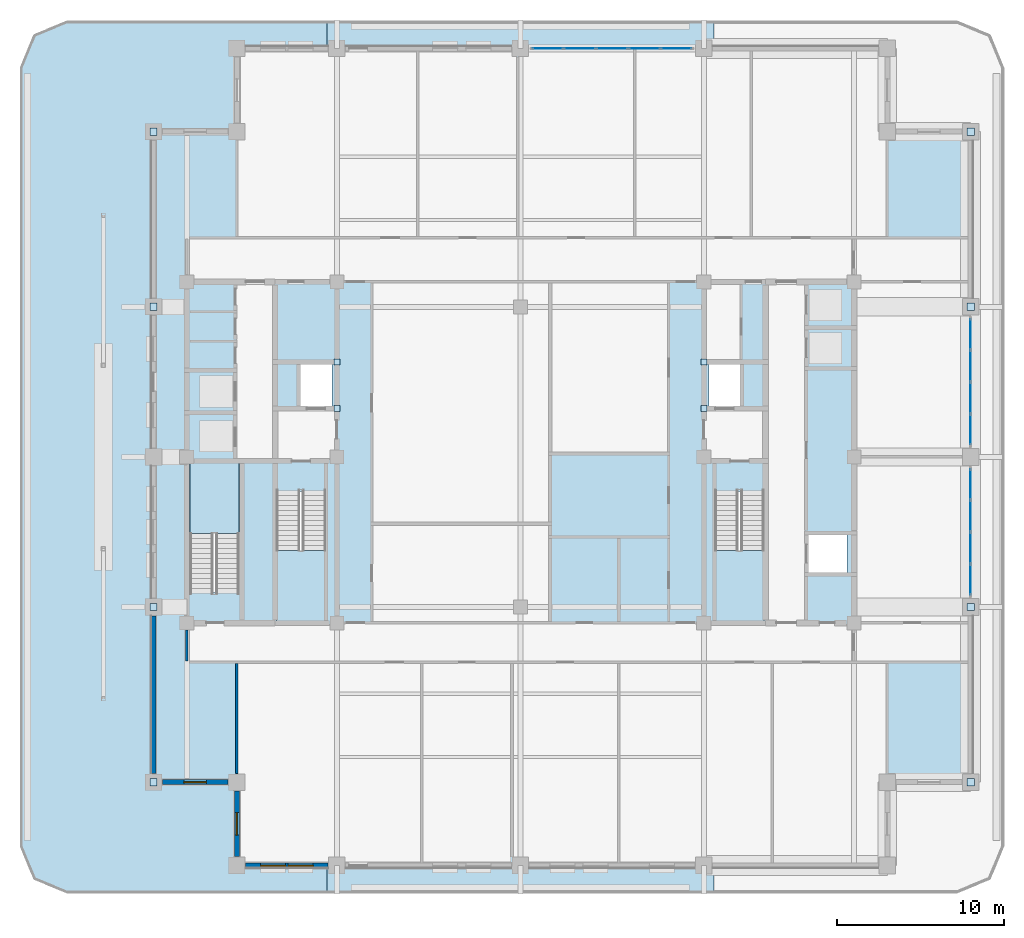
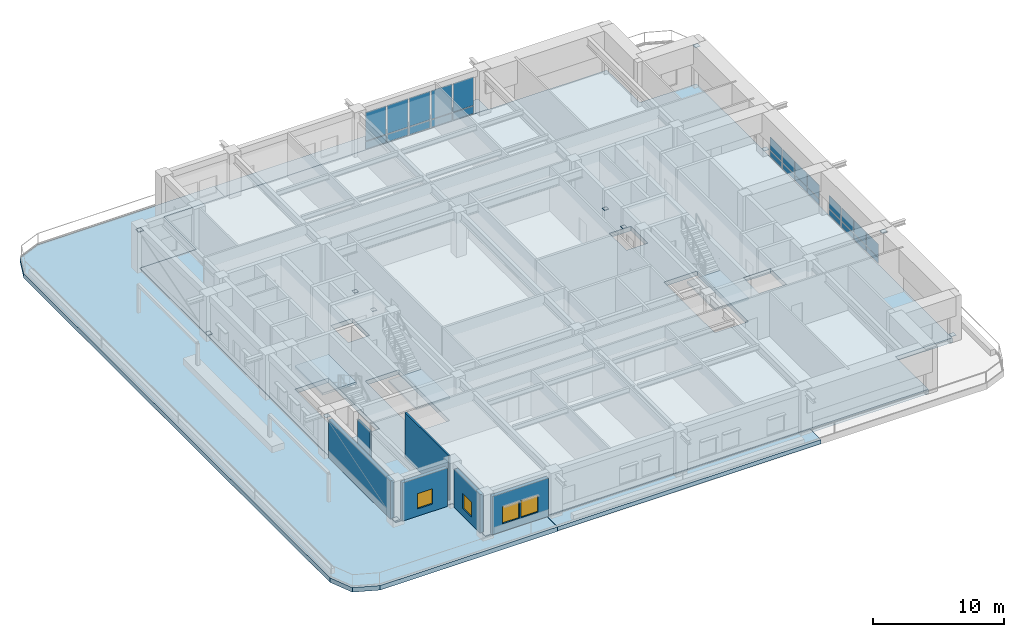
# One storey, part 7 of 20: 38 plates, 7 slabs, 6 walls, 4 windows, 4 openings, 6 elements without a shape of their own.
"""IFC4 building model written with IfcOpenShell, lengths in metres."""

from ifc_helpers import new_model, si_unit, direction, frame, frame_2d, origin, origin_2d, place, context, subcontext, project, spatial, polyline, rectangle, outline, extrude, material, layer, layer_set, type_object, element, fill, aggregate, save


model = new_model("IFC4")

# Units and contexts
model_context = context("Model", 3, precision=1e-05, world=origin(), true_north=direction((0.0, 1.0)))
body_context = subcontext(model_context, "Body", "Model", "MODEL_VIEW")
ifc_project = project(units=[si_unit("LENGTHUNIT", "METRE"), si_unit("AREAUNIT", "SQUARE_METRE"), si_unit("VOLUMEUNIT", "CUBIC_METRE"), si_unit("PLANEANGLEUNIT", "RADIAN"), si_unit("MASSUNIT", "GRAM", prefix="KILO")], contexts=[model_context])

# Site, building, storey
site_placement = place(None, origin())
site = spatial("IfcSite", under=ifc_project, at=site_placement, CompositionType="ELEMENT")
building_placement = place(site_placement, origin())
building = spatial("IfcBuilding", under=site, at=building_placement, Name="Zulmaris Gate Convention Tower", CompositionType="ELEMENT")
storey_placement = place(building_placement, frame((0.0, 0.0, 158.23974609375)))
storey = spatial("IfcBuildingStorey", under=building, at=storey_placement, Name="L40", CompositionType="ELEMENT", Elevation=158.23974609375)

# Curtain wall, plates
ifc_material_1 = material(Name="Anodised Aluminium", Category="aluminium")
curtain_wall_type = type_object("IfcCurtainWallType", Name="CW-04", PredefinedType="NOTDEFINED", material=ifc_material_1)
curtain_wall_1_placement = place(storey_placement, origin())
curtain_wall_1 = element("IfcCurtainWall", 1, at=curtain_wall_1_placement, inside=storey, type_object=curtain_wall_type, Name="CW-04 CW04-L40-N-2_0", PredefinedType="NOTDEFINED")
ifc_material_2 = material(Name="Low-E Double Glazing", Category="glass")
ifc_layer_1 = layer(ifc_material_2, 0.028076171875, Name="Low-E Double Glazing")
ifc_layer_set_1 = layer_set([ifc_layer_1], Name="Low-E Double Glazing")
plate_type_1 = type_object("IfcPlateType", Name="CW-04-VISION", PredefinedType="CURTAIN_PANEL", material=ifc_layer_set_1)
plate_1_placement = place(storey_placement, frame((9.349609375, 24.5, 0.074951171875), z_axis=(0.0, 0.0, 1.0), x_axis=(-1.0, 0.0, 0.0)))
plate_1 = element("IfcPlate", 2, at=plate_1_placement, type_object=plate_type_1, Name="CW-04 panel 1.1", PredefinedType="CURTAIN_PANEL", context=body_context, shape_type="SweptSolid", body=[
    extrude(rectangle(XDim=1.801025390625, YDim=0.028076171875, at=origin_2d()), origin(), (0.0, 0.0, 1.0), 0.6875),
])
plate_2_placement = place(storey_placement, frame((9.349609375, 24.5, 0.83740234375), z_axis=(0.0, 0.0, 1.0), x_axis=(-1.0, 0.0, 0.0)))
plate_2 = element("IfcPlate", 3, at=plate_2_placement, type_object=plate_type_1, Name="CW-04 panel 1.2", PredefinedType="CURTAIN_PANEL", context=body_context, shape_type="SweptSolid", body=[
    extrude(rectangle(XDim=1.801025390625, YDim=0.028076171875, at=origin_2d()), origin(), (0.0, 0.0, 1.0), 2.649658203125),
])
plate_3_placement = place(storey_placement, frame((7.43603515625, 24.5, 0.074951171875), z_axis=(0.0, 0.0, 1.0), x_axis=(-1.0, 0.0, 0.0)))
plate_3 = element("IfcPlate", 4, at=plate_3_placement, type_object=plate_type_1, Name="CW-04 panel 2.1", PredefinedType="CURTAIN_PANEL", context=body_context, shape_type="SweptSolid", body=[
    extrude(rectangle(XDim=1.845947265625, YDim=0.028076171875, at=origin_2d()), origin(), (0.0, 0.0, 1.0), 0.6875),
])
plate_4_placement = place(storey_placement, frame((7.43603515625, 24.5, 0.83740234375), z_axis=(0.0, 0.0, 1.0), x_axis=(-1.0, 0.0, 0.0)))
plate_4 = element("IfcPlate", 5, at=plate_4_placement, type_object=plate_type_1, Name="CW-04 panel 2.2", PredefinedType="CURTAIN_PANEL", context=body_context, shape_type="SweptSolid", body=[
    extrude(rectangle(XDim=1.845947265625, YDim=0.028076171875, at=origin_2d()), origin(), (0.0, 0.0, 1.0), 2.649658203125),
])
plate_5_placement = place(storey_placement, frame((5.5, 24.5, 0.074951171875), z_axis=(0.0, 0.0, 1.0), x_axis=(-1.0, 0.0, 0.0)))
plate_5 = element("IfcPlate", 6, at=plate_5_placement, type_object=plate_type_1, Name="CW-04 panel 3.1", PredefinedType="CURTAIN_PANEL", context=body_context, shape_type="SweptSolid", body=[
    extrude(rectangle(XDim=1.845947265625, YDim=0.028076171875, at=origin_2d()), origin(), (0.0, 0.0, 1.0), 0.6875),
])
plate_6_placement = place(storey_placement, frame((5.5, 24.5, 0.83740234375), z_axis=(0.0, 0.0, 1.0), x_axis=(-1.0, 0.0, 0.0)))
plate_6 = element("IfcPlate", 7, at=plate_6_placement, type_object=plate_type_1, Name="CW-04 panel 3.2", PredefinedType="CURTAIN_PANEL", context=body_context, shape_type="SweptSolid", body=[
    extrude(rectangle(XDim=1.845947265625, YDim=0.028076171875, at=origin_2d()), origin(), (0.0, 0.0, 1.0), 2.649658203125),
])
plate_7_placement = place(storey_placement, frame((3.56396484375, 24.5, 0.074951171875), z_axis=(0.0, 0.0, 1.0), x_axis=(-1.0, 0.0, 0.0)))
plate_7 = element("IfcPlate", 8, at=plate_7_placement, type_object=plate_type_1, Name="CW-04 panel 4.1", PredefinedType="CURTAIN_PANEL", context=body_context, shape_type="SweptSolid", body=[
    extrude(rectangle(XDim=1.845947265625, YDim=0.028076171875, at=origin_2d()), origin(), (0.0, 0.0, 1.0), 0.6875),
])
plate_8_placement = place(storey_placement, frame((3.56396484375, 24.5, 0.83740234375), z_axis=(0.0, 0.0, 1.0), x_axis=(-1.0, 0.0, 0.0)))
plate_8 = element("IfcPlate", 9, at=plate_8_placement, type_object=plate_type_1, Name="CW-04 panel 4.2", PredefinedType="CURTAIN_PANEL", context=body_context, shape_type="SweptSolid", body=[
    extrude(rectangle(XDim=1.845947265625, YDim=0.028076171875, at=origin_2d()), origin(), (0.0, 0.0, 1.0), 2.649658203125),
])
plate_9_placement = place(storey_placement, frame((1.650390625, 24.5, 0.074951171875), z_axis=(0.0, 0.0, 1.0), x_axis=(-1.0, 0.0, 0.0)))
plate_9 = element("IfcPlate", 10, at=plate_9_placement, type_object=plate_type_1, Name="CW-04 panel 5.1", PredefinedType="CURTAIN_PANEL", context=body_context, shape_type="SweptSolid", body=[
    extrude(rectangle(XDim=1.801025390625, YDim=0.028076171875, at=origin_2d()), origin(), (0.0, 0.0, 1.0), 0.6875),
])
plate_10_placement = place(storey_placement, frame((1.650390625, 24.5, 0.83740234375), z_axis=(0.0, 0.0, 1.0), x_axis=(-1.0, 0.0, 0.0)))
plate_10 = element("IfcPlate", 11, at=plate_10_placement, type_object=plate_type_1, Name="CW-04 panel 5.2", PredefinedType="CURTAIN_PANEL", context=body_context, shape_type="SweptSolid", body=[
    extrude(rectangle(XDim=1.801025390625, YDim=0.028076171875, at=origin_2d()), origin(), (0.0, 0.0, 1.0), 2.649658203125),
])
aggregate(curtain_wall_1, [plate_1, plate_2, plate_3, plate_4, plate_5, plate_6, plate_7, plate_8, plate_9, plate_10])

curtain_wall_2_placement = place(storey_placement, origin())
curtain_wall_2 = element("IfcCurtainWall", 12, at=curtain_wall_2_placement, inside=storey, type_object=curtain_wall_type, Name="CW-04 CW04-L40-E-1_0", PredefinedType="NOTDEFINED")
plate_11_placement = place(storey_placement, frame((27.0, -7.357421875, 0.0751953125), z_axis=(0.0, 0.0, 1.0), x_axis=(0.0, 1.0, 0.0)))
plate_11 = element("IfcPlate", 13, at=plate_11_placement, type_object=plate_type_1, Name="CW-04 panel 1.1", PredefinedType="CURTAIN_PANEL", context=body_context, shape_type="SweptSolid", body=[
    extrude(rectangle(XDim=1.784912109375, YDim=0.028076171875, at=origin_2d()), origin(), (0.0, 0.0, 1.0), 0.515380859375),
])
plate_12_placement = place(storey_placement, frame((27.0, -7.357421875, 0.66552734375), z_axis=(0.0, 0.0, 1.0), x_axis=(0.0, 1.0, 0.0)))
plate_12 = element("IfcPlate", 14, at=plate_12_placement, type_object=plate_type_1, Name="CW-04 panel 1.2", PredefinedType="CURTAIN_PANEL", context=body_context, shape_type="SweptSolid", body=[
    extrude(rectangle(XDim=1.784912109375, YDim=0.028076171875, at=origin_2d()), origin(), (0.0, 0.0, 1.0), 1.2216796875),
])
plate_13_placement = place(storey_placement, frame((27.0, -5.4599609375, 0.0751953125), z_axis=(0.0, 0.0, 1.0), x_axis=(0.0, 1.0, 0.0)))
plate_13 = element("IfcPlate", 15, at=plate_13_placement, type_object=plate_type_1, Name="CW-04 panel 2.1", PredefinedType="CURTAIN_PANEL", context=body_context, shape_type="SweptSolid", body=[
    extrude(rectangle(XDim=1.830078125, YDim=0.028076171875, at=origin_2d()), origin(), (0.0, 0.0, 1.0), 0.515380859375),
])
plate_14_placement = place(storey_placement, frame((27.0, -5.4599609375, 0.66552734375), z_axis=(0.0, 0.0, 1.0), x_axis=(0.0, 1.0, 0.0)))
plate_14 = element("IfcPlate", 16, at=plate_14_placement, type_object=plate_type_1, Name="CW-04 panel 2.2", PredefinedType="CURTAIN_PANEL", context=body_context, shape_type="SweptSolid", body=[
    extrude(rectangle(XDim=1.830078125, YDim=0.028076171875, at=origin_2d()), origin(), (0.0, 0.0, 1.0), 1.2216796875),
])
plate_15_placement = place(storey_placement, frame((27.0, -3.5400390625, 0.0751953125), z_axis=(0.0, 0.0, 1.0), x_axis=(0.0, 1.0, 0.0)))
plate_15 = element("IfcPlate", 17, at=plate_15_placement, type_object=plate_type_1, Name="CW-04 panel 3.1", PredefinedType="CURTAIN_PANEL", context=body_context, shape_type="SweptSolid", body=[
    extrude(rectangle(XDim=1.830078125, YDim=0.028076171875, at=origin_2d()), origin(), (0.0, 0.0, 1.0), 0.515380859375),
])
plate_16_placement = place(storey_placement, frame((27.0, -3.5400390625, 0.66552734375), z_axis=(0.0, 0.0, 1.0), x_axis=(0.0, 1.0, 0.0)))
plate_16 = element("IfcPlate", 18, at=plate_16_placement, type_object=plate_type_1, Name="CW-04 panel 3.2", PredefinedType="CURTAIN_PANEL", context=body_context, shape_type="SweptSolid", body=[
    extrude(rectangle(XDim=1.830078125, YDim=0.028076171875, at=origin_2d()), origin(), (0.0, 0.0, 1.0), 1.2216796875),
])
plate_17_placement = place(storey_placement, frame((27.0, -1.642578125, 0.0751953125), z_axis=(0.0, 0.0, 1.0), x_axis=(0.0, 1.0, 0.0)))
plate_17 = element("IfcPlate", 19, at=plate_17_placement, type_object=plate_type_1, Name="CW-04 panel 4.1", PredefinedType="CURTAIN_PANEL", context=body_context, shape_type="SweptSolid", body=[
    extrude(rectangle(XDim=1.784912109375, YDim=0.028076171875, at=origin_2d()), origin(), (0.0, 0.0, 1.0), 0.515380859375),
])
plate_18_placement = place(storey_placement, frame((27.0, -1.642578125, 0.66552734375), z_axis=(0.0, 0.0, 1.0), x_axis=(0.0, 1.0, 0.0)))
plate_18 = element("IfcPlate", 20, at=plate_18_placement, type_object=plate_type_1, Name="CW-04 panel 4.2", PredefinedType="CURTAIN_PANEL", context=body_context, shape_type="SweptSolid", body=[
    extrude(rectangle(XDim=1.784912109375, YDim=0.028076171875, at=origin_2d()), origin(), (0.0, 0.0, 1.0), 1.2216796875),
])
aggregate(curtain_wall_2, [plate_11, plate_12, plate_13, plate_14, plate_15, plate_16, plate_17, plate_18])

curtain_wall_3_placement = place(storey_placement, origin())
curtain_wall_3 = element("IfcCurtainWall", 21, at=curtain_wall_3_placement, inside=storey, type_object=curtain_wall_type, Name="CW-04 CW04-L40-E-2_0", PredefinedType="NOTDEFINED")
plate_19_placement = place(storey_placement, frame((27.0, 1.642578125, 0.0751953125), z_axis=(0.0, 0.0, 1.0), x_axis=(0.0, 1.0, 0.0)))
plate_19 = element("IfcPlate", 22, at=plate_19_placement, type_object=plate_type_1, Name="CW-04 panel 1.1", PredefinedType="CURTAIN_PANEL", context=body_context, shape_type="SweptSolid", body=[
    extrude(rectangle(XDim=1.784912109375, YDim=0.028076171875, at=origin_2d()), origin(), (0.0, 0.0, 1.0), 0.515380859375),
])
plate_20_placement = place(storey_placement, frame((27.0, 1.642578125, 0.66552734375), z_axis=(0.0, 0.0, 1.0), x_axis=(0.0, 1.0, 0.0)))
plate_20 = element("IfcPlate", 23, at=plate_20_placement, type_object=plate_type_1, Name="CW-04 panel 1.2", PredefinedType="CURTAIN_PANEL", context=body_context, shape_type="SweptSolid", body=[
    extrude(rectangle(XDim=1.784912109375, YDim=0.028076171875, at=origin_2d()), origin(), (0.0, 0.0, 1.0), 1.2216796875),
])
plate_21_placement = place(storey_placement, frame((27.0, 3.5400390625, 0.0751953125), z_axis=(0.0, 0.0, 1.0), x_axis=(0.0, 1.0, 0.0)))
plate_21 = element("IfcPlate", 24, at=plate_21_placement, type_object=plate_type_1, Name="CW-04 panel 2.1", PredefinedType="CURTAIN_PANEL", context=body_context, shape_type="SweptSolid", body=[
    extrude(rectangle(XDim=1.830078125, YDim=0.028076171875, at=origin_2d()), origin(), (0.0, 0.0, 1.0), 0.515380859375),
])
plate_22_placement = place(storey_placement, frame((27.0, 3.5400390625, 0.66552734375), z_axis=(0.0, 0.0, 1.0), x_axis=(0.0, 1.0, 0.0)))
plate_22 = element("IfcPlate", 25, at=plate_22_placement, type_object=plate_type_1, Name="CW-04 panel 2.2", PredefinedType="CURTAIN_PANEL", context=body_context, shape_type="SweptSolid", body=[
    extrude(rectangle(XDim=1.830078125, YDim=0.028076171875, at=origin_2d()), origin(), (0.0, 0.0, 1.0), 1.2216796875),
])
plate_23_placement = place(storey_placement, frame((27.0, 5.4599609375, 0.0751953125), z_axis=(0.0, 0.0, 1.0), x_axis=(0.0, 1.0, 0.0)))
plate_23 = element("IfcPlate", 26, at=plate_23_placement, type_object=plate_type_1, Name="CW-04 panel 3.1", PredefinedType="CURTAIN_PANEL", context=body_context, shape_type="SweptSolid", body=[
    extrude(rectangle(XDim=1.830078125, YDim=0.028076171875, at=origin_2d()), origin(), (0.0, 0.0, 1.0), 0.515380859375),
])
plate_24_placement = place(storey_placement, frame((27.0, 5.4599609375, 0.66552734375), z_axis=(0.0, 0.0, 1.0), x_axis=(0.0, 1.0, 0.0)))
plate_24 = element("IfcPlate", 27, at=plate_24_placement, type_object=plate_type_1, Name="CW-04 panel 3.2", PredefinedType="CURTAIN_PANEL", context=body_context, shape_type="SweptSolid", body=[
    extrude(rectangle(XDim=1.830078125, YDim=0.028076171875, at=origin_2d()), origin(), (0.0, 0.0, 1.0), 1.2216796875),
])
plate_25_placement = place(storey_placement, frame((27.0, 7.357421875, 0.0751953125), z_axis=(0.0, 0.0, 1.0), x_axis=(0.0, 1.0, 0.0)))
plate_25 = element("IfcPlate", 28, at=plate_25_placement, type_object=plate_type_1, Name="CW-04 panel 4.1", PredefinedType="CURTAIN_PANEL", context=body_context, shape_type="SweptSolid", body=[
    extrude(rectangle(XDim=1.784912109375, YDim=0.028076171875, at=origin_2d()), origin(), (0.0, 0.0, 1.0), 0.515380859375),
])
plate_26_placement = place(storey_placement, frame((27.0, 7.357421875, 0.66552734375), z_axis=(0.0, 0.0, 1.0), x_axis=(0.0, 1.0, 0.0)))
plate_26 = element("IfcPlate", 29, at=plate_26_placement, type_object=plate_type_1, Name="CW-04 panel 4.2", PredefinedType="CURTAIN_PANEL", context=body_context, shape_type="SweptSolid", body=[
    extrude(rectangle(XDim=1.784912109375, YDim=0.028076171875, at=origin_2d()), origin(), (0.0, 0.0, 1.0), 1.2216796875),
])
aggregate(curtain_wall_3, [plate_19, plate_20, plate_21, plate_22, plate_23, plate_24, plate_25, plate_26])

# Plates
ifc_material_3 = material(Name="Steel S460", Category="steel")
ifc_layer_2 = layer(ifc_material_3, 0.02197265625, Name="Steel S460")
ifc_layer_set_2 = layer_set([ifc_layer_2], Name="Steel S460")
plate_type_2 = type_object("IfcPlateType", Name="NP-CAP-360", PredefinedType="USERDEFINED", material=ifc_layer_set_2)
for number, where, z_axis, x_axis, name in (
    (30, (-11.0, 2.89990234375, 2.3388671875), (0.0, 0.0, 1.0), (1.0, 0.0, 0.0), "L40 Steel Node Plate LN-L40-1-CAP0"),
    (31, (-11.0, 5.699951171875, 2.3388671875), (0.0, 0.0, 1.0), (1.0, 0.0, 0.0), "L40 Steel Node Plate LN-L40-1-CAP1"),
    (32, (11.0, 2.89990234375, 2.3388671875), (0.0, 0.0, 1.0), (1.0, 0.0, 0.0), "L40 Steel Node Plate LN-L40-2-CAP0"),
    (33, (11.0, 5.699951171875, 2.3388671875), (0.0, 0.0, 1.0), (1.0, 0.0, 0.0), "L40 Steel Node Plate LN-L40-2-CAP1"),
):
    element("IfcPlate", number, at=place(storey_placement, frame(where, z_axis=z_axis, x_axis=x_axis)), inside=storey, type_object=plate_type_2, Name=name, ObjectType="FLANGE PLATE", PredefinedType="USERDEFINED", context=body_context, shape_type="SweptSolid", body=[
        extrude(rectangle(XDim=0.360107421875, YDim=0.360107421875, at=origin_2d()), origin(), (0.0, 0.0, 1.0), 0.02197265625),
    ])
ifc_layer_3 = layer(ifc_material_3, 0.02490234375, Name="Steel S460")
ifc_layer_set_3 = layer_set([ifc_layer_3], Name="Steel S460")
plate_type_3 = type_object("IfcPlateType", Name="NP-CAP-440", PredefinedType="USERDEFINED", material=ifc_layer_set_3)
for number, where, z_axis, x_axis, name in (
    (34, (-22.0, -19.5, 0.28759765625), (0.0, 0.0, 1.0), (1.0, 0.0, 0.0), "L40 Steel Node Plate PBR-L40-SW-W-CAP"),
    (35, (-22.0, -9.0, 3.53759765625), (0.0, 0.0, 1.0), (1.0, 0.0, 0.0), "L40 Steel Node Plate PBR-L40-SW-W-CAPB"),
    (36, (-22.0, 9.0, 0.28759765625), (0.0, 0.0, 1.0), (1.0, 0.0, 0.0), "L40 Steel Node Plate PBR-L40-NW-W-CAP"),
    (37, (-22.0, 19.5, 3.53759765625), (0.0, 0.0, 1.0), (1.0, 0.0, 0.0), "L40 Steel Node Plate PBR-L40-NW-W-CAPB"),
    (38, (27.0, -19.5, 0.28759765625), (0.0, 0.0, 1.0), (1.0, 0.0, 0.0), "L40 Steel Node Plate PBR-L40-SE-E-CAP"),
    (39, (27.0, -9.0, 3.53759765625), (0.0, 0.0, 1.0), (1.0, 0.0, 0.0), "L40 Steel Node Plate PBR-L40-SE-E-CAPB"),
    (40, (27.0, 9.0, 0.28759765625), (0.0, 0.0, 1.0), (1.0, 0.0, 0.0), "L40 Steel Node Plate PBR-L40-NE-E-CAP"),
    (41, (27.0, 19.5, 3.53759765625), (0.0, 0.0, 1.0), (1.0, 0.0, 0.0), "L40 Steel Node Plate PBR-L40-NE-E-CAPB"),
):
    element("IfcPlate", number, at=place(storey_placement, frame(where, z_axis=z_axis, x_axis=x_axis)), inside=storey, type_object=plate_type_3, Name=name, ObjectType="FLANGE PLATE", PredefinedType="USERDEFINED", context=body_context, shape_type="SweptSolid", body=[
        extrude(rectangle(XDim=0.43994140625, YDim=0.43994140625, at=origin_2d()), origin(), (0.0, 0.0, 1.0), 0.02490234375),
    ])

# Slab
ifc_material_4 = material(Name="Concrete C60/75", Category="concrete")
ifc_layer_4 = layer(ifc_material_4, 0.425048828125, Name="Concrete C60/75")
ifc_layer_set_4 = layer_set([ifc_layer_4], Name="Concrete C60/75")
slab_type_1 = type_object("IfcSlabType", Name="SL-FLR-425", PredefinedType="FLOOR", material=ifc_layer_set_4)
slab_1_placement = place(storey_placement, frame((0.0, 0.0, -0.425048828125)))
element("IfcSlab", 42, at=slab_1_placement, inside=storey, type_object=slab_type_1, Name="L40 Shifted Notched-Square Structural Floor Slab", PredefinedType="FLOOR", context=body_context, shape_type="SweptSolid", body=[
    extrude(outline(polyline([(-17.0, -24.5), (22.0, -24.5), (22.0, -19.5), (27.0, -19.5), (27.0, 19.5), (22.0, 19.5), (22.0, 24.5), (-17.0, 24.5), (-17.0, 19.5), (-22.0, 19.5), (-22.0, -19.5), (-17.0, -19.5), (-17.0, -24.5)]), holes=[polyline([(-14.6201171875, -2.080078125), (-14.6201171875, -9.85009765625), (-11.659912109375, -9.85009765625), (-11.659912109375, -2.080078125), (-14.6201171875, -2.080078125)]), polyline([(11.659912109375, -2.080078125), (11.659912109375, -9.85009765625), (14.6201171875, -9.85009765625), (14.6201171875, -2.080078125), (11.659912109375, -2.080078125)]), polyline([(-16.860107421875, -8.1201171875), (-16.860107421875, -0.35009765625), (-19.820068359375, -0.35009765625), (-19.820068359375, -8.1201171875), (-16.860107421875, -8.1201171875)]), polyline([(-13.199951171875, 3.0), (-11.300048828125, 3.0), (-11.300048828125, 5.60009765625), (-13.199951171875, 5.60009765625), (-13.199951171875, 3.0)]), polyline([(11.300048828125, 3.0), (13.199951171875, 3.0), (13.199951171875, 5.60009765625), (11.300048828125, 5.60009765625), (11.300048828125, 3.0)]), polyline([(17.199951171875, -7.0), (19.60009765625, -7.0), (19.60009765625, -4.60009765625), (17.199951171875, -4.60009765625), (17.199951171875, -7.0)])]), origin(), (0.0, 0.0, 1.0), 0.425048828125),
])

# Stair, slab
ifc_material_5 = material(Name="Concrete C45/55", Category="concrete")
stair_type = type_object("IfcStairType", Name="ST-CORE-DOGLEG", PredefinedType="HALF_TURN_STAIR", material=ifc_material_5)
stair_1_placement = place(storey_placement, origin())
stair_1 = element("IfcStair", 43, at=stair_1_placement, inside=storey, type_object=stair_type, Name="L40 Core Exit Stair ST-1", PredefinedType="HALF_TURN_STAIR")
ifc_layer_5 = layer(ifc_material_5, 0.199951171875, Name="Concrete C45/55")
ifc_layer_set_5 = layer_set([ifc_layer_5], Name="Concrete C45/55")
slab_type_2 = type_object("IfcSlabType", Name="SL-LND-200", PredefinedType="LANDING", material=ifc_layer_set_5)
slab_2_placement = place(storey_placement, frame((0.0, 0.0, 2.010009765625)))
slab_2 = element("IfcSlab", 44, at=slab_2_placement, type_object=slab_type_2, Name="ST-1 landing 1", PredefinedType="LANDING", context=body_context, shape_type="SweptSolid", body=[
    extrude(outline(polyline([(-14.6201171875, -5.60009765625), (-14.6201171875, -9.85009765625), (-11.659912109375, -9.85009765625), (-11.659912109375, -5.60009765625), (-14.6201171875, -5.60009765625)])), origin(), (0.0, 0.0, 1.0), 0.199951171875),
])
aggregate(stair_1, [slab_2])

stair_2_placement = place(storey_placement, origin())
stair_2 = element("IfcStair", 45, at=stair_2_placement, inside=storey, type_object=stair_type, Name="L40 Core Exit Stair ST-2", PredefinedType="HALF_TURN_STAIR")
slab_3_placement = place(storey_placement, frame((0.0, 0.0, 2.010009765625)))
slab_3 = element("IfcSlab", 46, at=slab_3_placement, type_object=slab_type_2, Name="ST-2 landing 1", PredefinedType="LANDING", context=body_context, shape_type="SweptSolid", body=[
    extrude(outline(polyline([(11.659912109375, -5.60009765625), (11.659912109375, -9.85009765625), (14.6201171875, -9.85009765625), (14.6201171875, -5.60009765625), (11.659912109375, -5.60009765625)])), origin(), (0.0, 0.0, 1.0), 0.199951171875),
])
aggregate(stair_2, [slab_3])

stair_3_placement = place(storey_placement, origin())
stair_3 = element("IfcStair", 47, at=stair_3_placement, inside=storey, type_object=stair_type, Name="L40 Core Exit Stair ST-3", PredefinedType="HALF_TURN_STAIR")
slab_4_placement = place(storey_placement, frame((0.0, 0.0, 2.010009765625)))
slab_4 = element("IfcSlab", 48, at=slab_4_placement, type_object=slab_type_2, Name="ST-3 landing 1", PredefinedType="LANDING", context=body_context, shape_type="SweptSolid", body=[
    extrude(outline(polyline([(-16.860107421875, -4.60009765625), (-16.860107421875, -0.35009765625), (-19.820068359375, -0.35009765625), (-19.820068359375, -4.60009765625), (-16.860107421875, -4.60009765625)])), origin(), (0.0, 0.0, 1.0), 0.199951171875),
])
aggregate(stair_3, [slab_4])

# Slabs
ifc_material_6 = material(Name="Concrete C50/60", Category="concrete")
ifc_layer_6 = layer(ifc_material_6, 0.300048828125, Name="Concrete C50/60")
ifc_layer_set_6 = layer_set([ifc_layer_6], Name="Concrete C50/60")
slab_type_3 = type_object("IfcSlabType", Name="SL-SG-300", PredefinedType="FLOOR", material=ifc_layer_set_6)
slab_5_placement = place(storey_placement, frame((0.0, 0.0, -0.425048828125)))
element("IfcSlab", 49, at=slab_5_placement, inside=storey, type_object=slab_type_3, Name="L40 South Tree-Balcony Planter Slab", PredefinedType="FLOOR", context=body_context, shape_type="SweptSolid", body=[
    extrude(outline(polyline([(-11.597900390625, -26.14990234375), (-11.597900390625, -24.5), (11.597900390625, -24.5), (11.597900390625, -26.14990234375), (-11.597900390625, -26.14990234375)])), origin(), (0.0, 0.0, 1.0), 0.385009765625),
])
slab_6_placement = place(storey_placement, frame((0.0, 0.0, -0.425048828125)))
element("IfcSlab", 50, at=slab_6_placement, inside=storey, type_object=slab_type_3, Name="L40 North Tree-Balcony Planter Slab", PredefinedType="FLOOR", context=body_context, shape_type="SweptSolid", body=[
    extrude(outline(polyline([(11.597900390625, 26.14990234375), (11.597900390625, 24.5), (-11.597900390625, 24.5), (-11.597900390625, 26.14990234375), (11.597900390625, 26.14990234375)])), origin(), (0.0, 0.0, 1.0), 0.385009765625),
])
ifc_layer_7 = layer(ifc_material_6, 0.419921875, Name="Concrete C50/60")
ifc_layer_set_7 = layer_set([ifc_layer_7], Name="Concrete C50/60")
slab_type_4 = type_object("IfcSlabType", Name="SL-SG-420", PredefinedType="FLOOR", material=ifc_layer_set_7)
slab_7_placement = place(storey_placement, frame((0.0, 0.0, -0.4599609375)))
element("IfcSlab", 51, at=slab_7_placement, inside=storey, type_object=slab_type_4, Name="L40 West Block-End Planted Roof Terrace Slab", PredefinedType="FLOOR", context=body_context, shape_type="SweptSolid", body=[
    extrude(outline(polyline([(-30.0, 23.35009765625), (-29.179931640625, 25.329833984375), (-27.199951171875, 26.14990234375), (-11.60205078125, 26.14990234375), (-11.60205078125, 24.5), (-17.0, 24.5), (-17.0, 19.5), (-22.0, 19.5), (-22.0, -19.5), (-17.0, -19.5), (-17.0, -24.5), (-11.60205078125, -24.5), (-11.60205078125, -26.14990234375), (-27.199951171875, -26.14990234375), (-29.179931640625, -25.329833984375), (-30.0, -23.35009765625), (-30.0, 23.35009765625)])), origin(), (0.0, 0.0, 1.0), 0.419921875),
])

# Walls
ifc_material_7 = material(Name="Gypsum Metal Stud Partition")
ifc_layer_8 = layer(ifc_material_7, 0.14990234375, Name="Gypsum Metal Stud Partition")
ifc_layer_set_8 = layer_set([ifc_layer_8], Name="Gypsum Metal Stud Partition")
wall_type_1 = type_object("IfcWallType", Name="PART-150", PredefinedType="PARTITIONING", material=ifc_layer_set_8)
wall_1_placement = place(storey_placement, frame((-20.0, -12.221923828125, 0.0), z_axis=(0.0, 0.0, 1.0), x_axis=(0.0, 1.0, 0.0)))
element("IfcWall", 52, at=wall_1_placement, inside=storey, type_object=wall_type_1, Name="WL-L40-068", PredefinedType="PARTITIONING", context=body_context, shape_type="SweptSolid", body=[
    extrude(rectangle(XDim=1.8408203125, YDim=0.14990234375, at=frame_2d((0.92041015625, 0.0))), origin(), (0.0, 0.0, 1.0), 3.360107421875),
])
wall_2_placement = place(storey_placement, frame((-17.0, -18.993896484375, 0.0), z_axis=(0.0, 0.0, 1.0), x_axis=(0.0, 1.0, 0.0)))
element("IfcWall", 53, at=wall_2_placement, inside=storey, type_object=wall_type_1, Name="WL-L40-073", PredefinedType="PARTITIONING", context=body_context, shape_type="SweptSolid", body=[
    extrude(rectangle(XDim=6.615966796875, YDim=0.14990234375, at=frame_2d((3.30810546875, 0.0))), origin(), (0.0, 0.0, 1.0), 4.170166015625),
])

# Wall, opening, window
ifc_material_8 = material(Name="Precast concrete C40/50", Category="concrete")
ifc_layer_9 = layer(ifc_material_8, 0.300048828125, Name="Precast concrete C40/50")
ifc_layer_set_9 = layer_set([ifc_layer_9], Name="Precast concrete C40/50")
wall_type_2 = type_object("IfcWallType", Name="PRECAST-PIER-300", PredefinedType="STANDARD", material=ifc_layer_set_9)
wall_3_placement = place(storey_placement, frame((-21.469970703125, -19.5, 0.0), z_axis=(0.0, 0.0, 1.0), x_axis=(1.0, 0.0, 0.0)))
wall_3 = element("IfcWall", 54, at=wall_3_placement, inside=storey, type_object=wall_type_2, Name="EW-L40-NOTCH-SW1_0", PredefinedType="STANDARD", context=body_context, shape_type="SweptSolid", body=[
    extrude(rectangle(XDim=3.93994140625, YDim=0.300048828125, at=frame_2d((1.969970703125, 0.0))), origin(), (0.0, 0.0, 1.0), 3.562255859375),
])
opening_1_placement = place(wall_3_placement, frame((1.294921875, 0.0, 0.679931640625)))
opening_1 = element("IfcOpeningElement", 55, at=opening_1_placement, cuts=wall_3, Name="Opening W-10", PredefinedType="OPENING", context=body_context, shape_type="SweptSolid", body=[
    extrude(rectangle(XDim=1.35009765625, YDim=1.419921875, at=frame_2d((0.675048828125, 0.7099609375))), frame((0.0, 0.16015625, 0.0), z_axis=(0.0, -1.0, 0.0), x_axis=(1.0, 0.0, 0.0)), (0.0, 0.0, 1.0), 0.320068359375),
])
ifc_material_9 = material(Name="Low-E Laminated Double Glazing in Aluminium Frame", Category="aluminium")
window_type_1 = type_object("IfcWindowType", Name="WIN-1350x2000", PartitioningType="SINGLE_PANEL", PredefinedType="WINDOW", material=ifc_material_9)
window_1_placement = place(opening_1_placement, origin())
window_1 = element("IfcWindow", 56, at=window_1_placement, inside=storey, type_object=window_type_1, Name="WN-EW-L40-NOTCH-SW1_0", OverallHeight=1.419921875, OverallWidth=1.35009765625, PartitioningType="SINGLE_PANEL", PredefinedType="WINDOW", context=body_context, shape_type="SweptSolid", body=[
    extrude(rectangle(XDim=1.35009765625, YDim=1.419921875, at=frame_2d((0.675048828125, 0.7099609375))), frame((0.0, 0.030029296875, 0.0), z_axis=(0.0, -1.0, 0.0), x_axis=(1.0, 0.0, 0.0)), (0.0, 0.0, 1.0), 0.06005859375),
])
fill(opening_1, window_1)

wall_4_placement = place(storey_placement, frame((-17.0, -20.030029296875, 0.0), z_axis=(0.0, 0.0, 1.0), x_axis=(0.0, -1.0, 0.0)))
wall_4 = element("IfcWall", 57, at=wall_4_placement, inside=storey, type_object=wall_type_2, Name="EW-L40-NOTCH-SW2_0", PredefinedType="STANDARD", context=body_context, shape_type="SweptSolid", body=[
    extrude(rectangle(XDim=3.93994140625, YDim=0.300048828125, at=frame_2d((1.969970703125, 0.0))), origin(), (0.0, 0.0, 1.0), 3.562255859375),
])
opening_2_placement = place(wall_4_placement, frame((1.294921875, 0.0, 0.679931640625)))
opening_2 = element("IfcOpeningElement", 58, at=opening_2_placement, cuts=wall_4, Name="Opening W-10", PredefinedType="OPENING", context=body_context, shape_type="SweptSolid", body=[
    extrude(rectangle(XDim=1.35009765625, YDim=1.419921875, at=frame_2d((0.675048828125, 0.7099609375))), frame((0.0, 0.16015625, 0.0), z_axis=(0.0, -1.0, 0.0), x_axis=(1.0, 0.0, 0.0)), (0.0, 0.0, 1.0), 0.320068359375),
])
window_2_placement = place(opening_2_placement, origin())
window_2 = element("IfcWindow", 59, at=window_2_placement, inside=storey, type_object=window_type_1, Name="WN-EW-L40-NOTCH-SW2_0", OverallHeight=1.419921875, OverallWidth=1.35009765625, PartitioningType="SINGLE_PANEL", PredefinedType="WINDOW", context=body_context, shape_type="SweptSolid", body=[
    extrude(rectangle(XDim=1.35009765625, YDim=1.419921875, at=frame_2d((0.675048828125, 0.7099609375))), frame((0.0, 0.030029296875, 0.0), z_axis=(0.0, -1.0, 0.0), x_axis=(1.0, 0.0, 0.0)), (0.0, 0.0, 1.0), 0.06005859375),
])
fill(opening_2, window_2)

# Wall, openings, windows
wall_5_placement = place(storey_placement, frame((-16.469970703125, -24.5, 0.0), z_axis=(0.0, 0.0, 1.0), x_axis=(1.0, 0.0, 0.0)))
wall_5 = element("IfcWall", 60, at=wall_5_placement, inside=storey, type_object=wall_type_2, Name="EW-L40-S-0_0", PredefinedType="STANDARD", context=body_context, shape_type="SweptSolid", body=[
    extrude(rectangle(XDim=4.93994140625, YDim=0.300048828125, at=frame_2d((2.469970703125, 0.0))), origin(), (0.0, 0.0, 1.0), 3.562255859375),
])
opening_3_placement = place(wall_5_placement, frame((0.89697265625, 0.0, 0.719970703125)))
opening_3 = element("IfcOpeningElement", 61, at=opening_3_placement, cuts=wall_5, Name="Opening W-03", PredefinedType="OPENING", context=body_context, shape_type="SweptSolid", body=[
    extrude(rectangle(XDim=1.5, YDim=1.60009765625, at=frame_2d((0.75, 0.800048828125))), frame((0.0, 0.16015625, 0.0), z_axis=(0.0, -1.0, 0.0), x_axis=(1.0, 0.0, 0.0)), (0.0, 0.0, 1.0), 0.320068359375),
])
opening_4_placement = place(wall_5_placement, frame((2.54296875, 0.0, 0.719970703125)))
opening_4 = element("IfcOpeningElement", 62, at=opening_4_placement, cuts=wall_5, Name="Opening W-03", PredefinedType="OPENING", context=body_context, shape_type="SweptSolid", body=[
    extrude(rectangle(XDim=1.5, YDim=1.60009765625, at=frame_2d((0.75, 0.800048828125))), frame((0.0, 0.16015625, 0.0), z_axis=(0.0, -1.0, 0.0), x_axis=(1.0, 0.0, 0.0)), (0.0, 0.0, 1.0), 0.320068359375),
])
window_type_2 = type_object("IfcWindowType", Name="WIN-1500x2100", PartitioningType="SINGLE_PANEL", PredefinedType="WINDOW", material=ifc_material_9)
window_3_placement = place(opening_3_placement, origin())
window_3 = element("IfcWindow", 63, at=window_3_placement, inside=storey, type_object=window_type_2, Name="WN-EW-L40-S-0_0-1", OverallHeight=1.60009765625, OverallWidth=1.5, PartitioningType="SINGLE_PANEL", PredefinedType="WINDOW", context=body_context, shape_type="SweptSolid", body=[
    extrude(rectangle(XDim=1.5, YDim=1.60009765625, at=frame_2d((0.75, 0.800048828125))), frame((0.0, 0.030029296875, 0.0), z_axis=(0.0, -1.0, 0.0), x_axis=(1.0, 0.0, 0.0)), (0.0, 0.0, 1.0), 0.06005859375),
])
fill(opening_3, window_3)
window_4_placement = place(opening_4_placement, origin())
window_4 = element("IfcWindow", 64, at=window_4_placement, inside=storey, type_object=window_type_2, Name="WN-EW-L40-S-0_0-2", OverallHeight=1.60009765625, OverallWidth=1.5, PartitioningType="SINGLE_PANEL", PredefinedType="WINDOW", context=body_context, shape_type="SweptSolid", body=[
    extrude(rectangle(XDim=1.5, YDim=1.60009765625, at=frame_2d((0.75, 0.800048828125))), frame((0.0, 0.030029296875, 0.0), z_axis=(0.0, -1.0, 0.0), x_axis=(1.0, 0.0, 0.0)), (0.0, 0.0, 1.0), 0.06005859375),
])
fill(opening_4, window_4)

# Wall
wall_6_placement = place(storey_placement, frame((-22.0, -9.530029296875, 0.0), z_axis=(0.0, 0.0, 1.0), x_axis=(0.0, -1.0, 0.0)))
element("IfcWall", 65, at=wall_6_placement, inside=storey, type_object=wall_type_2, Name="EW-L40-W-0_0", PredefinedType="STANDARD", context=body_context, shape_type="SweptSolid", body=[
    extrude(rectangle(XDim=9.43994140625, YDim=0.300048828125, at=frame_2d((4.719970703125, 0.0))), origin(), (0.0, 0.0, 1.0), 3.562255859375),
])

save(model, "model.ifc")
